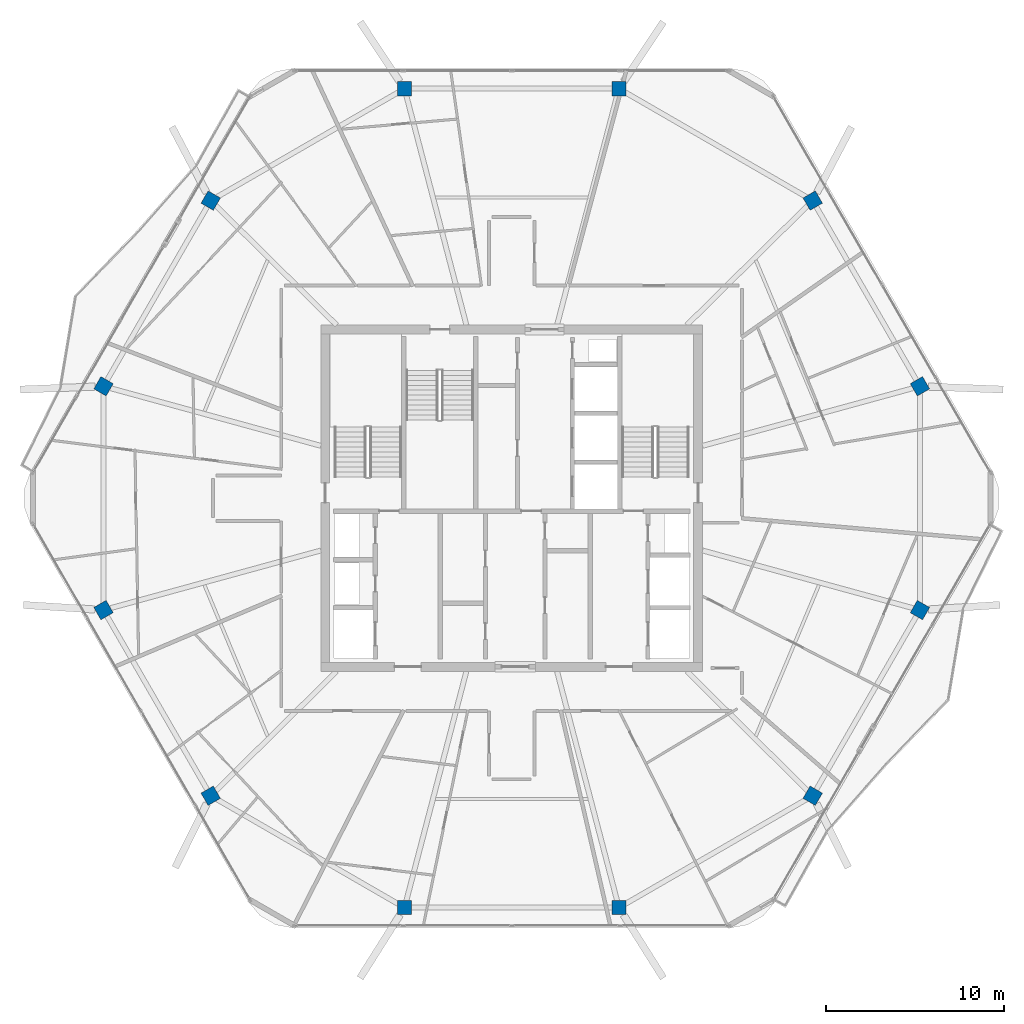
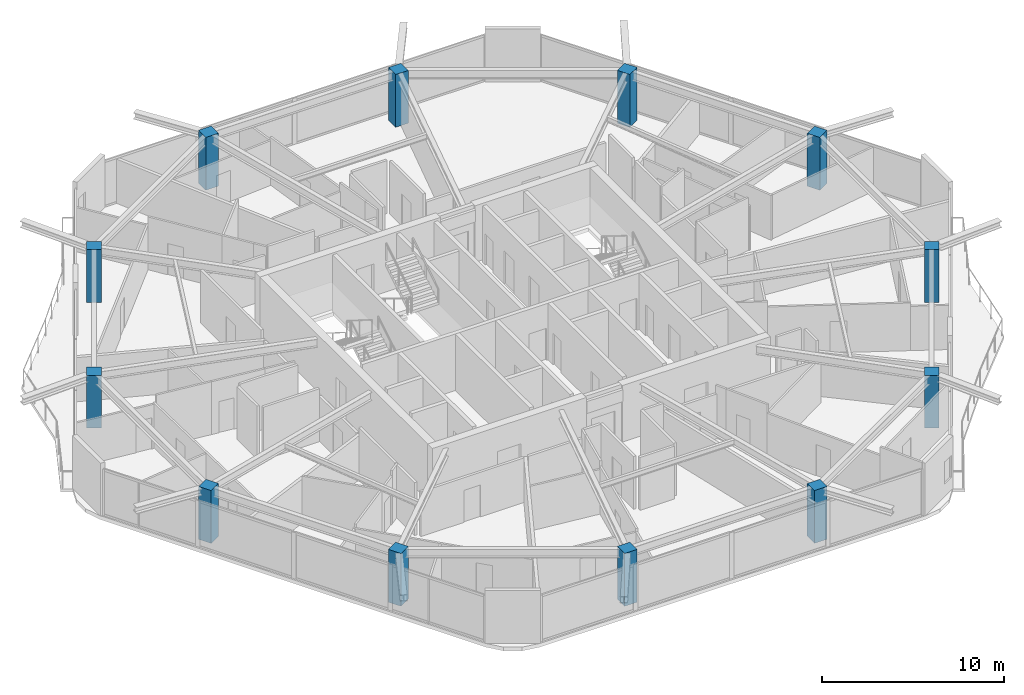
# One storey, part 1 of 19: 12 columns.
"""IFC4 building model written with IfcOpenShell, lengths in metres."""

from ifc_helpers import new_model, si_unit, direction, frame, origin, origin_2d, place, context, subcontext, project, spatial, rectangle, extrude, material, material_profile, profile_set, type_object, element, save


model = new_model("IFC4")

# Units and contexts
model_context = context("Model", 3, precision=1e-05, world=origin(), true_north=direction((0.0, 1.0)))
body_context = subcontext(model_context, "Body", "Model", "MODEL_VIEW")
ifc_project = project(units=[si_unit("LENGTHUNIT", "METRE"), si_unit("AREAUNIT", "SQUARE_METRE"), si_unit("VOLUMEUNIT", "CUBIC_METRE"), si_unit("PLANEANGLEUNIT", "RADIAN"), si_unit("MASSUNIT", "GRAM", prefix="KILO")], contexts=[model_context])

# Site, building, storey
site_placement = place(None, origin())
site = spatial("IfcSite", under=ifc_project, at=site_placement, CompositionType="ELEMENT")
building_placement = place(site_placement, origin())
building = spatial("IfcBuilding", under=site, at=building_placement, Name="Zuhravey Tower", CompositionType="ELEMENT")
storey_placement = place(building_placement, frame((0.0, 0.0, 327.199951171875)))
storey = spatial("IfcBuildingStorey", under=building, at=storey_placement, Name="L83", CompositionType="ELEMENT", Elevation=327.199951171875)

# Columns
ifc_material = material(Name="Concrete C50/60", Category="concrete")
ifc_material_profile = material_profile(ifc_material, rectangle(XDim=0.800048828125, YDim=0.800048828125, at=origin_2d()), Name="RC-800x800")
ifc_profile_set = profile_set([ifc_material_profile], Name="Concrete C50/60")
column_type = type_object("IfcColumnType", Name="Zone 4 Perimeter Column 800x800", PredefinedType="COLUMN", material=ifc_profile_set)
for number, where, z_axis, x_axis, name in (
    (1, (58.993408203125, 38.302490234375, 0.0), (0.0, 0.0, 1.0), (-0.5, 0.866025403784, 0.0), "L83 Perimeter Column PC01"),
    (2, (52.95458984375, 48.76171875, 0.0), (0.0, 0.0, 1.0), (-0.5, 0.866025403784, 0.0), "L83 Perimeter Column PC02"),
    (3, (42.038818359375, 55.064208984375, 0.0), (0.0, 0.0, 1.0), (-1.0, 0.0, 0.0), "L83 Perimeter Column PC03"),
    (4, (29.961181640625, 55.064208984375, 0.0), (0.0, 0.0, 1.0), (-1.0, 0.0, 0.0), "L83 Perimeter Column PC04"),
    (5, (19.04541015625, 48.76171875, 0.0), (0.0, 0.0, 1.0), (-0.5, -0.866025403784, 0.0), "L83 Perimeter Column PC05"),
    (6, (13.006591796875, 38.302490234375, 0.0), (0.0, 0.0, 1.0), (-0.5, -0.866025403784, 0.0), "L83 Perimeter Column PC06"),
    (7, (13.006591796875, 25.697509765625, 0.0), (0.0, 0.0, 1.0), (0.5, -0.866025403784, 0.0), "L83 Perimeter Column PC07"),
    (8, (19.04541015625, 15.23828125, 0.0), (0.0, 0.0, 1.0), (0.5, -0.866025403784, 0.0), "L83 Perimeter Column PC08"),
    (9, (29.961181640625, 8.935791015625, 0.0), (0.0, 0.0, 1.0), (1.0, 0.0, 0.0), "L83 Perimeter Column PC09"),
    (10, (42.038818359375, 8.935791015625, 0.0), (0.0, 0.0, 1.0), (1.0, 0.0, 0.0), "L83 Perimeter Column PC10"),
    (11, (52.95458984375, 15.23828125, 0.0), (0.0, 0.0, 1.0), (0.5, 0.866025403784, 0.0), "L83 Perimeter Column PC11"),
    (12, (58.993408203125, 25.697509765625, 0.0), (0.0, 0.0, 1.0), (0.5, 0.866025403784, 0.0), "L83 Perimeter Column PC12"),
):
    element("IfcColumn", number, at=place(storey_placement, frame(where, z_axis=z_axis, x_axis=x_axis)), inside=storey, type_object=column_type, Name=name, PredefinedType="COLUMN", context=body_context, shape_type="SweptSolid", body=[
        extrude(rectangle(XDim=0.800048828125, YDim=0.800048828125, at=origin_2d()), origin(), (0.0, 0.0, 1.0), 3.550048828125),
    ])

save(model, "model.ifc")
